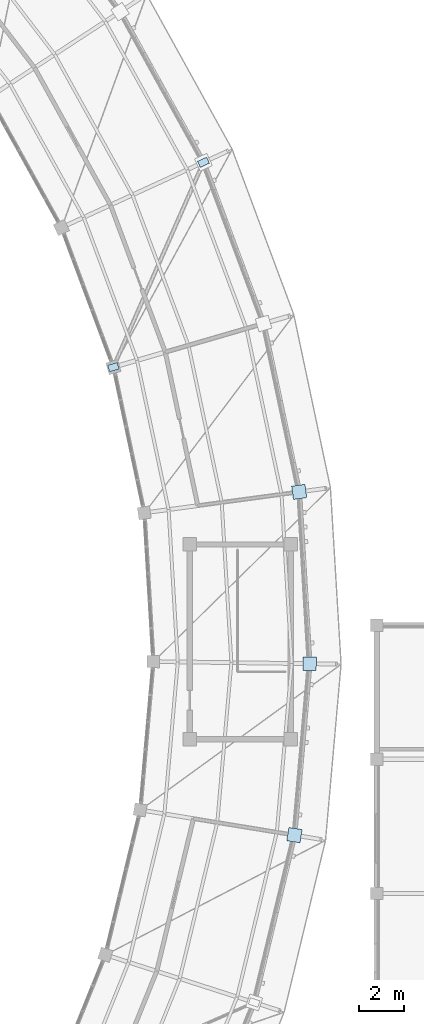
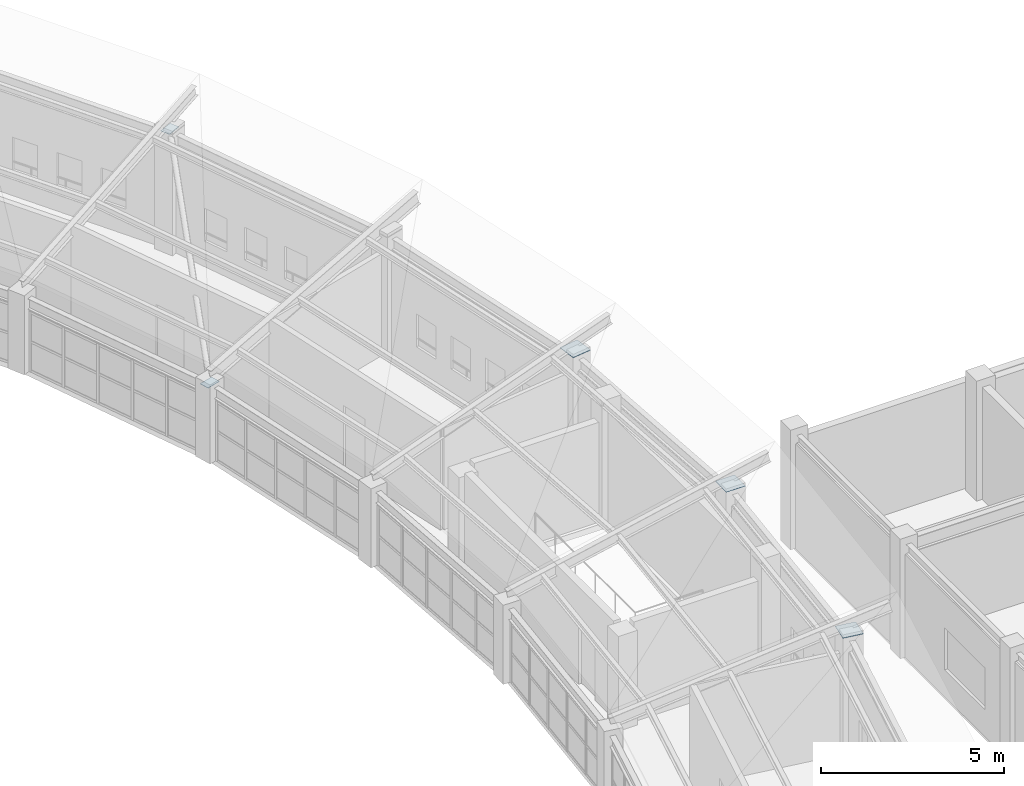
# One storey, part 115 of 149: 5 plates.
"""IFC4 building model written with IfcOpenShell, lengths in metres."""

from ifc_helpers import new_model, si_unit, direction, frame, origin, origin_2d, place, context, subcontext, project, spatial, rectangle, extrude, material, layer, layer_set, type_object, element, save


model = new_model("IFC4")

# Units and contexts
model_context = context("Model", 3, precision=1e-05, world=origin(), true_north=direction((0.0, 1.0)))
body_context = subcontext(model_context, "Body", "Model", "MODEL_VIEW")
ifc_project = project(units=[si_unit("LENGTHUNIT", "METRE"), si_unit("AREAUNIT", "SQUARE_METRE"), si_unit("VOLUMEUNIT", "CUBIC_METRE"), si_unit("PLANEANGLEUNIT", "RADIAN"), si_unit("MASSUNIT", "GRAM", prefix="KILO")], contexts=[model_context])

# Site, building, storey
site_placement = place(None, origin())
site = spatial("IfcSite", under=ifc_project, at=site_placement, CompositionType="ELEMENT")
building_placement = place(site_placement, origin())
building = spatial("IfcBuilding", under=site, at=building_placement, Name="Celadon Cloister-Ring School", CompositionType="ELEMENT")
storey_placement = place(building_placement, frame((0.0, 0.0, 12.5)))
storey = spatial("IfcBuildingStorey", under=building, at=storey_placement, Name="L03", CompositionType="ELEMENT", Elevation=12.5)

# Plates
ifc_material_1 = material(Name="Structural steel S355JR", Category="steel")
ifc_layer_1 = layer(ifc_material_1, 0.02001953125)
ifc_layer_set_1 = layer_set([ifc_layer_1], Name="Structural steel S355JR")
plate_type_1 = type_object("IfcPlateType", Name="PT-01", PredefinedType="SHEET", material=ifc_layer_set_1)
for number, where, z_axis, x_axis, name in (
    (1, (138.318115234375, 50.60693359375, 4.041015625), (0.0, 0.0, 1.0), (0.986889540988, -0.161397130983, 0.0), "Gusset Plate 0030"),
    (2, (138.9951171875, 58.281005859375, 4.041015625), (0.0, 0.0, 1.0), (0.999904463751, -0.013822567474, 0.0), "Gusset Plate 0031"),
    (3, (138.531005859375, 65.970947265625, 4.041015625), (0.0, 0.0, 1.0), (0.9909738433, 0.13405536877, 0.0), "Gusset Plate 0032"),
):
    element("IfcPlate", number, at=place(storey_placement, frame(where, z_axis=z_axis, x_axis=x_axis)), inside=storey, type_object=plate_type_1, Name=name, PredefinedType="SHEET", context=body_context, shape_type="SweptSolid", body=[
        extrude(rectangle(XDim=0.60009765625, YDim=0.60009765625, at=origin_2d()), origin(), (0.0, 0.0, 1.0), 0.02001953125),
    ])
ifc_material_2 = material(Name="Structural steel S355JR", Category="steel")
ifc_layer_2 = layer(ifc_material_2, 0.011962890625)
ifc_layer_set_2 = layer_set([ifc_layer_2], Name="Structural steel S355JR")
plate_type_2 = type_object("IfcPlateType", Name="PT-04", PredefinedType="SHEET", material=ifc_layer_set_2)
for number, where, z_axis, x_axis, name in (
    (4, (130.212890625, 71.554931640625, 2.44384765625), (0.0, 0.0, 1.0), (0.960293685677, 0.278991106039, 0.0), "Gusset Plate 0051"),
    (5, (134.243896484375, 80.72607421875, 3.94384765625), (0.0, 0.0, 1.0), (0.908537347938, 0.417803646947, 0.0), "Gusset Plate 0052"),
):
    element("IfcPlate", number, at=place(storey_placement, frame(where, z_axis=z_axis, x_axis=x_axis)), inside=storey, type_object=plate_type_2, Name=name, PredefinedType="SHEET", context=body_context, shape_type="SweptSolid", body=[
        extrude(rectangle(XDim=0.449951171875, YDim=0.300048828125, at=origin_2d()), origin(), (0.0, 0.0, 1.0), 0.011962890625),
    ])

save(model, "model.ifc")
